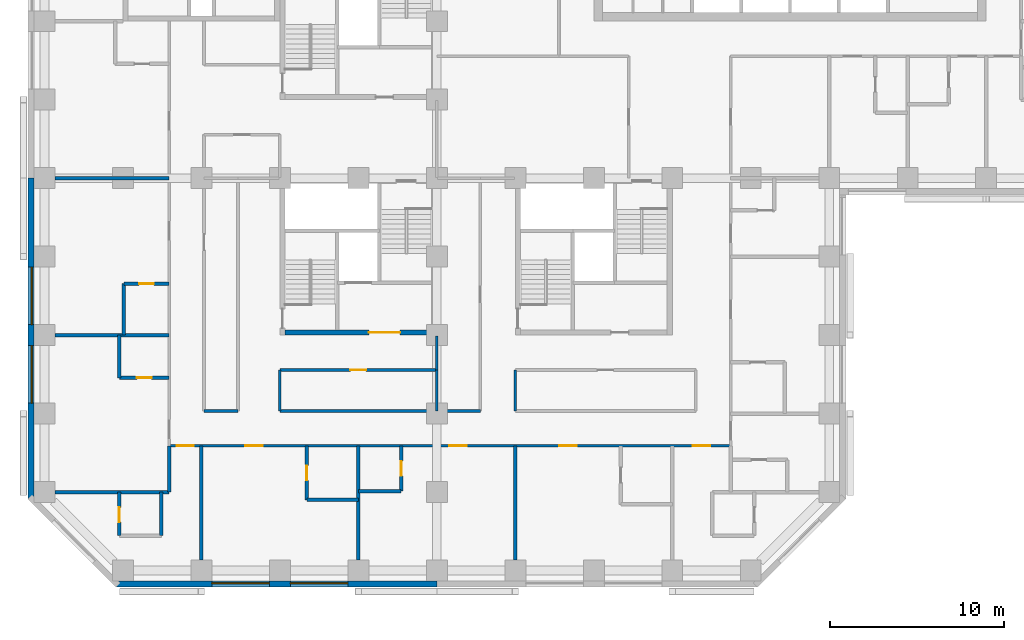
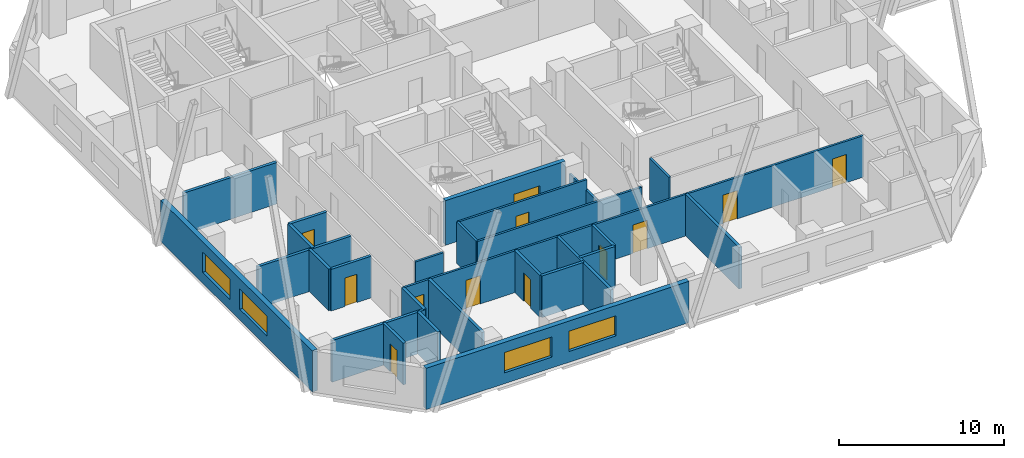
# One storey, part 3 of 13: 28 walls, 12 doors, 4 windows, 16 openings.
"""IFC4 building model written with IfcOpenShell, lengths in metres."""

from ifc_helpers import new_model, si_unit, direction, frame, frame_2d, origin, place, context, subcontext, project, spatial, rectangle, extrude, material, layer, layer_set, constituent, constituent_set, type_object, element, fill, save


model = new_model("IFC4")

# Units and contexts
model_context = context("Model", 3, precision=1e-05, world=origin(), true_north=direction((0.0, 1.0)))
body_context = subcontext(model_context, "Body", "Model", "MODEL_VIEW")
ifc_project = project(units=[si_unit("LENGTHUNIT", "METRE"), si_unit("AREAUNIT", "SQUARE_METRE"), si_unit("VOLUMEUNIT", "CUBIC_METRE"), si_unit("PLANEANGLEUNIT", "RADIAN"), si_unit("MASSUNIT", "GRAM", prefix="KILO")], contexts=[model_context])

# Site, building, storey
site_placement = place(None, origin())
site = spatial("IfcSite", under=ifc_project, at=site_placement, CompositionType="ELEMENT")
building_placement = place(site_placement, origin())
building = spatial("IfcBuilding", under=site, at=building_placement, Name="Quoin Convention Tower", CompositionType="ELEMENT")
storey_placement = place(building_placement, frame((0.0, 0.0, 39.60009765625)))
storey = spatial("IfcBuildingStorey", under=building, at=storey_placement, Name="L09", CompositionType="ELEMENT", Elevation=39.60009765625)

# Wall, openings, windows
ifc_material_1 = material(Name="Brick masonry", Category="masonry")
ifc_layer_1 = layer(ifc_material_1, 0.35009765625)
ifc_layer_set_1 = layer_set([ifc_layer_1], Name="Brick masonry")
wall_type_1 = type_object("IfcWallType", Name="Brick facade wall", PredefinedType="STANDARD", material=ifc_layer_set_1)
wall_1_placement = place(storey_placement, frame((17.6064453125, 17.22509765625, 0.0), z_axis=(0.0, 0.0, 1.0), x_axis=(1.0, 0.0, 0.0)))
wall_1 = element("IfcWall", 1, at=wall_1_placement, inside=storey, type_object=wall_type_1, Name="fw-L09-18000_18000", PredefinedType="STANDARD", context=body_context, shape_type="SweptSolid", body=[
    extrude(rectangle(XDim=18.3935546875, YDim=0.35009765625, at=frame_2d((9.19677734375, 0.0))), origin(), (0.0, 0.0, 1.0), 3.054931640625),
])
opening_1_placement = place(wall_1_placement, frame((5.493408203125, 0.0, 0.800048828125)))
opening_1 = element("IfcOpeningElement", 2, at=opening_1_placement, cuts=wall_1, Name="Opening W-01", PredefinedType="OPENING", context=body_context, shape_type="SweptSolid", body=[
    extrude(rectangle(XDim=3.300048828125, YDim=1.5, at=frame_2d((1.64990234375, 0.75))), frame((0.0, 0.18505859375, 0.0), z_axis=(0.0, -1.0, 0.0), x_axis=(1.0, 0.0, 0.0)), (0.0, 0.0, 1.0), 0.3701171875),
])
opening_2_placement = place(wall_1_placement, frame((9.993408203125, 0.0, 0.800048828125)))
opening_2 = element("IfcOpeningElement", 3, at=opening_2_placement, cuts=wall_1, Name="Opening W-01", PredefinedType="OPENING", context=body_context, shape_type="SweptSolid", body=[
    extrude(rectangle(XDim=3.300048828125, YDim=1.5, at=frame_2d((1.64990234375, 0.75))), frame((0.0, 0.18505859375, 0.0), z_axis=(0.0, -1.0, 0.0), x_axis=(1.0, 0.0, 0.0)), (0.0, 0.0, 1.0), 0.3701171875),
])
ifc_material_2 = material(Name="Aluminium", Category="aluminium")
ifc_constituent_1 = constituent(ifc_material_2, Name="Frame")
ifc_material_3 = material(Name="Insulated glass", Category="glass")
ifc_constituent_2 = constituent(ifc_material_3, Name="Glazing")
ifc_constituent_set = constituent_set(constituents=[ifc_constituent_1, ifc_constituent_2], Name="Aluminium")
window_type = type_object("IfcWindowType", Name="Hotel strip window", PartitioningType="DOUBLE_PANEL_VERTICAL", PredefinedType="WINDOW", material=ifc_constituent_set)
window_1_placement = place(opening_1_placement, origin())
window_1 = element("IfcWindow", 4, at=window_1_placement, inside=storey, type_object=window_type, Name="win-L09-24750_17225", OverallHeight=1.5, OverallWidth=3.300048828125, PartitioningType="SINGLE_PANEL", PredefinedType="WINDOW", context=body_context, shape_type="SweptSolid", body=[
    extrude(rectangle(XDim=3.300048828125, YDim=1.5, at=frame_2d((1.64990234375, 0.75))), frame((0.0, 0.0849609375, 0.0), z_axis=(0.0, -1.0, 0.0), x_axis=(1.0, 0.0, 0.0)), (0.0, 0.0, 1.0), 0.06005859375),
])
fill(opening_1, window_1)
window_2_placement = place(opening_2_placement, origin())
window_2 = element("IfcWindow", 5, at=window_2_placement, inside=storey, type_object=window_type, Name="win-L09-29250_17225", OverallHeight=1.5, OverallWidth=3.300048828125, PartitioningType="SINGLE_PANEL", PredefinedType="WINDOW", context=body_context, shape_type="SweptSolid", body=[
    extrude(rectangle(XDim=3.300048828125, YDim=1.5, at=frame_2d((1.64990234375, 0.75))), frame((0.0, 0.0849609375, 0.0), z_axis=(0.0, -1.0, 0.0), x_axis=(1.0, 0.0, 0.0)), (0.0, 0.0, 1.0), 0.06005859375),
])
fill(opening_2, window_2)

wall_2_placement = place(storey_placement, frame((12.72509765625, 40.5, 0.0), z_axis=(0.0, 0.0, 1.0), x_axis=(0.0, -1.0, 0.0)))
wall_2 = element("IfcWall", 6, at=wall_2_placement, inside=storey, type_object=wall_type_1, Name="fw-L09-13500_40500", PredefinedType="STANDARD", context=body_context, shape_type="SweptSolid", body=[
    extrude(rectangle(XDim=18.3935546875, YDim=0.35009765625, at=frame_2d((9.19677734375, 0.0))), origin(), (0.0, 0.0, 1.0), 3.054931640625),
])
opening_3_placement = place(wall_2_placement, frame((5.10009765625, 0.0, 0.800048828125)))
opening_3 = element("IfcOpeningElement", 7, at=opening_3_placement, cuts=wall_2, Name="Opening W-01", PredefinedType="OPENING", context=body_context, shape_type="SweptSolid", body=[
    extrude(rectangle(XDim=3.300048828125, YDim=1.5, at=frame_2d((1.64990234375, 0.75))), frame((0.0, 0.18505859375, 0.0), z_axis=(0.0, -1.0, 0.0), x_axis=(1.0, 0.0, 0.0)), (0.0, 0.0, 1.0), 0.3701171875),
])
opening_4_placement = place(wall_2_placement, frame((9.60009765625, 0.0, 0.800048828125)))
opening_4 = element("IfcOpeningElement", 8, at=opening_4_placement, cuts=wall_2, Name="Opening W-01", PredefinedType="OPENING", context=body_context, shape_type="SweptSolid", body=[
    extrude(rectangle(XDim=3.300048828125, YDim=1.5, at=frame_2d((1.64990234375, 0.75))), frame((0.0, 0.18505859375, 0.0), z_axis=(0.0, -1.0, 0.0), x_axis=(1.0, 0.0, 0.0)), (0.0, 0.0, 1.0), 0.3701171875),
])
window_3_placement = place(opening_3_placement, origin())
window_3 = element("IfcWindow", 9, at=window_3_placement, inside=storey, type_object=window_type, Name="win-L09-12725_33750", OverallHeight=1.5, OverallWidth=3.300048828125, PartitioningType="SINGLE_PANEL", PredefinedType="WINDOW", context=body_context, shape_type="SweptSolid", body=[
    extrude(rectangle(XDim=3.300048828125, YDim=1.5, at=frame_2d((1.64990234375, 0.75))), frame((0.0, 0.0849609375, 0.0), z_axis=(0.0, -1.0, 0.0), x_axis=(1.0, 0.0, 0.0)), (0.0, 0.0, 1.0), 0.06005859375),
])
fill(opening_3, window_3)
window_4_placement = place(opening_4_placement, origin())
window_4 = element("IfcWindow", 10, at=window_4_placement, inside=storey, type_object=window_type, Name="win-L09-12725_29250", OverallHeight=1.5, OverallWidth=3.300048828125, PartitioningType="SINGLE_PANEL", PredefinedType="WINDOW", context=body_context, shape_type="SweptSolid", body=[
    extrude(rectangle(XDim=3.300048828125, YDim=1.5, at=frame_2d((1.64990234375, 0.75))), frame((0.0, 0.0849609375, 0.0), z_axis=(0.0, -1.0, 0.0), x_axis=(1.0, 0.0, 0.0)), (0.0, 0.0, 1.0), 0.06005859375),
])
fill(opening_4, window_4)

# Wall, opening, door
ifc_material_4 = material(Name="Concrete C80", Category="concrete")
ifc_layer_2 = layer(ifc_material_4, 0.300048828125)
ifc_layer_set_2 = layer_set([ifc_layer_2], Name="Concrete C80")
wall_type_2 = type_object("IfcWallType", Name="RC CORE WALL 300 C80", PredefinedType="SHEAR", material=ifc_layer_set_2)
wall_3_placement = place(storey_placement, frame((27.300048828125, 31.64990234375, 0.0), z_axis=(0.0, 0.0, 1.0), x_axis=(1.0, 0.0, 0.0)))
wall_3 = element("IfcWall", 11, at=wall_3_placement, inside=storey, type_object=wall_type_2, Name="cwl-P4-L09-S", PredefinedType="SHEAR", context=body_context, shape_type="SweptSolid", body=[
    extrude(rectangle(XDim=8.39990234375, YDim=0.300048828125, at=frame_2d((4.199951171875, 0.0))), origin(), (0.0, 0.0, 1.0), 3.2998046875),
])
opening_5_placement = place(wall_3_placement, frame((4.800048828125, 0.0, 0.0)))
opening_5 = element("IfcOpeningElement", 12, at=opening_5_placement, cuts=wall_3, Name="Opening DCV3-43", PredefinedType="OPENING", context=body_context, shape_type="SweptSolid", body=[
    extrude(rectangle(XDim=1.800048828125, YDim=2.10009765625, at=frame_2d((0.89990234375, 1.050048828125))), frame((0.0, 0.159912109375, 0.0), z_axis=(0.0, -1.0, 0.0), x_axis=(1.0, 0.0, 0.0)), (0.0, 0.0, 1.0), 0.320068359375),
])
ifc_material_5 = material(Name="Steel door leaf", Category="steel")
door_type_1 = type_object("IfcDoorType", Name="Goods lobby door 1800 x 2100", OperationType="SINGLE_SWING_LEFT", PredefinedType="DOOR", material=ifc_material_5)
door_1_placement = place(opening_5_placement, origin())
door_1 = element("IfcDoor", 13, at=door_1_placement, inside=storey, type_object=door_type_1, Name="cd-P4-L09-R2-S", OperationType="SINGLE_SWING_LEFT", OverallHeight=2.10009765625, OverallWidth=1.800048828125, PredefinedType="DOOR", context=body_context, shape_type="SweptSolid", body=[
    extrude(rectangle(XDim=1.800048828125, YDim=2.10009765625, at=frame_2d((0.89990234375, 1.050048828125))), frame((0.0, 0.02490234375, 0.0), z_axis=(0.0, -1.0, 0.0), x_axis=(1.0, 0.0, 0.0)), (0.0, 0.0, 1.0), 0.050048828125),
])
fill(opening_5, door_1)

# Walls
ifc_material_6 = material(Name="Concrete C50", Category="concrete")
ifc_layer_3 = layer(ifc_material_6, 0.199951171875)
ifc_layer_set_3 = layer_set([ifc_layer_3], Name="Concrete C50")
wall_type_3 = type_object("IfcWallType", Name="RC party wall", PredefinedType="SOLIDWALL", material=ifc_layer_set_3)
for number, where, z_axis, x_axis, name in (
    (14, (22.5, 18.60009765625, 0.0), (0.0, 0.0, 1.0), (0.0, 1.0, 0.0), "pw-L09-039"),
    (15, (31.5, 18.60009765625, 0.0), (0.0, 0.0, 1.0), (0.0, 1.0, 0.0), "pw-L09-040"),
    (16, (40.5, 18.60009765625, 0.0), (0.0, 0.0, 1.0), (0.0, 1.0, 0.0), "pw-L09-041"),
):
    element("IfcWall", number, at=place(storey_placement, frame(where, z_axis=z_axis, x_axis=x_axis)), inside=storey, type_object=wall_type_3, Name=name, PredefinedType="SOLIDWALL", context=body_context, shape_type="SweptSolid", body=[
        extrude(rectangle(XDim=6.5498046875, YDim=0.199951171875, at=frame_2d((3.27490234375, 0.0))), origin(), (0.0, 0.0, 1.0), 3.079833984375),
    ])

# Wall, opening, door
wall_4_placement = place(storey_placement, frame((17.800048828125, 20.0, 0.0), z_axis=(0.0, 0.0, 1.0), x_axis=(0.0, 1.0, 0.0)))
wall_4 = element("IfcWall", 17, at=wall_4_placement, inside=storey, type_object=wall_type_3, Name="pw-L09-044", PredefinedType="SOLIDWALL", context=body_context, shape_type="SweptSolid", body=[
    extrude(rectangle(XDim=2.5, YDim=0.199951171875, at=frame_2d((1.25, 0.0))), origin(), (0.0, 0.0, 1.0), 3.079833984375),
])
opening_6_placement = place(wall_4_placement, frame((0.77490234375, 0.0, 0.0)))
opening_6 = element("IfcOpeningElement", 18, at=opening_6_placement, cuts=wall_4, Name="Opening DHOTEL-E-36", PredefinedType="OPENING", context=body_context, shape_type="SweptSolid", body=[
    extrude(rectangle(XDim=0.85009765625, YDim=2.10009765625, at=frame_2d((0.425048828125, 1.050048828125))), frame((0.0, 0.10986328125, 0.0), z_axis=(0.0, -1.0, 0.0), x_axis=(1.0, 0.0, 0.0)), (0.0, 0.0, 1.0), 0.219970703125),
])
door_type_2 = type_object("IfcDoorType", Name="Bathroom door", OperationType="SINGLE_SWING_LEFT", PredefinedType="DOOR", material=ifc_material_5)
door_2_placement = place(opening_6_placement, origin())
door_2 = element("IfcDoor", 19, at=door_2_placement, inside=storey, type_object=door_type_2, Name="dr-L09-050", OperationType="SINGLE_SWING_RIGHT", OverallHeight=2.10009765625, OverallWidth=0.85009765625, PredefinedType="DOOR", context=body_context, shape_type="SweptSolid", body=[
    extrude(rectangle(XDim=0.85009765625, YDim=2.10009765625, at=frame_2d((0.425048828125, 1.050048828125))), frame((0.0, 0.02490234375, 0.0), z_axis=(0.0, -1.0, 0.0), x_axis=(1.0, 0.0, 0.0)), (0.0, 0.0, 1.0), 0.050048828125),
])
fill(opening_6, door_2)

# Walls
wall_5_placement = place(storey_placement, frame((20.199951171875, 20.0, 0.0), z_axis=(0.0, 0.0, 1.0), x_axis=(0.0, 1.0, 0.0)))
element("IfcWall", 20, at=wall_5_placement, inside=storey, type_object=wall_type_3, Name="pw-L09-045", PredefinedType="SOLIDWALL", context=body_context, shape_type="SweptSolid", body=[
    extrude(rectangle(XDim=2.5, YDim=0.199951171875, at=frame_2d((1.25, 0.0))), origin(), (0.0, 0.0, 1.0), 3.079833984375),
])
wall_6_placement = place(storey_placement, frame((28.550048828125, 22.050048828125, 0.0), z_axis=(0.0, 0.0, 1.0), x_axis=(1.0, 0.0, 0.0)))
element("IfcWall", 21, at=wall_6_placement, inside=storey, type_object=wall_type_3, Name="pw-L09-051", PredefinedType="SOLIDWALL", context=body_context, shape_type="SweptSolid", body=[
    extrude(rectangle(XDim=2.949951171875, YDim=0.199951171875, at=frame_2d((1.47509765625, 0.0))), origin(), (0.0, 0.0, 1.0), 3.079833984375),
])

# Wall, opening, door
wall_7_placement = place(storey_placement, frame((28.550048828125, 22.050048828125, 0.0), z_axis=(0.0, 0.0, 1.0), x_axis=(0.0, 1.0, 0.0)))
wall_7 = element("IfcWall", 22, at=wall_7_placement, inside=storey, type_object=wall_type_3, Name="pw-L09-052", PredefinedType="SOLIDWALL", context=body_context, shape_type="SweptSolid", body=[
    extrude(rectangle(XDim=3.099853515625, YDim=0.199951171875, at=frame_2d((1.5498046875, 0.0))), origin(), (0.0, 0.0, 1.0), 3.079833984375),
])
opening_7_placement = place(wall_7_placement, frame((1.125, 0.0, 0.0)))
opening_7 = element("IfcOpeningElement", 23, at=opening_7_placement, cuts=wall_7, Name="Opening DHOTEL-E-39", PredefinedType="OPENING", context=body_context, shape_type="SweptSolid", body=[
    extrude(rectangle(XDim=0.85009765625, YDim=2.10009765625, at=frame_2d((0.425048828125, 1.050048828125))), frame((0.0, 0.10986328125, 0.0), z_axis=(0.0, -1.0, 0.0), x_axis=(1.0, 0.0, 0.0)), (0.0, 0.0, 1.0), 0.219970703125),
])
door_3_placement = place(opening_7_placement, origin())
door_3 = element("IfcDoor", 24, at=door_3_placement, inside=storey, type_object=door_type_2, Name="dr-L09-002", OperationType="SINGLE_SWING_RIGHT", OverallHeight=2.10009765625, OverallWidth=0.85009765625, PredefinedType="DOOR", context=body_context, shape_type="SweptSolid", body=[
    extrude(rectangle(XDim=0.85009765625, YDim=2.10009765625, at=frame_2d((0.425048828125, 1.050048828125))), frame((0.0, 0.02490234375, 0.0), z_axis=(0.0, -1.0, 0.0), x_axis=(1.0, 0.0, 0.0)), (0.0, 0.0, 1.0), 0.050048828125),
])
fill(opening_7, door_3)

# Walls
wall_8_placement = place(storey_placement, frame((14.10009765625, 22.5, 0.0), z_axis=(0.0, 0.0, 1.0), x_axis=(1.0, 0.0, 0.0)))
element("IfcWall", 25, at=wall_8_placement, inside=storey, type_object=wall_type_3, Name="pw-L09-053", PredefinedType="SOLIDWALL", context=body_context, shape_type="SweptSolid", body=[
    extrude(rectangle(XDim=6.5498046875, YDim=0.199951171875, at=frame_2d((3.27490234375, 0.0))), origin(), (0.0, 0.0, 1.0), 3.079833984375),
])
wall_9_placement = place(storey_placement, frame((20.64990234375, 22.5, 0.0), z_axis=(0.0, 0.0, 1.0), x_axis=(0.0, 1.0, 0.0)))
element("IfcWall", 26, at=wall_9_placement, inside=storey, type_object=wall_type_3, Name="pw-L09-054", PredefinedType="SOLIDWALL", context=body_context, shape_type="SweptSolid", body=[
    extrude(rectangle(XDim=2.64990234375, YDim=0.199951171875, at=frame_2d((1.324951171875, 0.0))), origin(), (0.0, 0.0, 1.0), 3.079833984375),
])
wall_10_placement = place(storey_placement, frame((31.5, 22.550048828125, 0.0), z_axis=(0.0, 0.0, 1.0), x_axis=(1.0, 0.0, 0.0)))
element("IfcWall", 27, at=wall_10_placement, inside=storey, type_object=wall_type_3, Name="pw-L09-058", PredefinedType="SOLIDWALL", context=body_context, shape_type="SweptSolid", body=[
    extrude(rectangle(XDim=2.449951171875, YDim=0.199951171875, at=frame_2d((1.22509765625, 0.0))), origin(), (0.0, 0.0, 1.0), 3.079833984375),
])

# Wall, opening, door
wall_11_placement = place(storey_placement, frame((33.949951171875, 22.550048828125, 0.0), z_axis=(0.0, 0.0, 1.0), x_axis=(0.0, 1.0, 0.0)))
wall_11 = element("IfcWall", 28, at=wall_11_placement, inside=storey, type_object=wall_type_3, Name="pw-L09-059", PredefinedType="SOLIDWALL", context=body_context, shape_type="SweptSolid", body=[
    extrude(rectangle(XDim=2.599853515625, YDim=0.199951171875, at=frame_2d((1.2998046875, 0.0))), origin(), (0.0, 0.0, 1.0), 3.079833984375),
])
opening_8_placement = place(wall_11_placement, frame((0.875, 0.0, 0.0)))
opening_8 = element("IfcOpeningElement", 29, at=opening_8_placement, cuts=wall_11, Name="Opening DHOTEL-E-40", PredefinedType="OPENING", context=body_context, shape_type="SweptSolid", body=[
    extrude(rectangle(XDim=0.85009765625, YDim=2.10009765625, at=frame_2d((0.425048828125, 1.050048828125))), frame((0.0, 0.10986328125, 0.0), z_axis=(0.0, -1.0, 0.0), x_axis=(1.0, 0.0, 0.0)), (0.0, 0.0, 1.0), 0.219970703125),
])
door_4_placement = place(opening_8_placement, frame((0.85009765625, 0.0, 0.0), z_axis=(0.0, 0.0, 1.0), x_axis=(-1.0, 0.0, 0.0)))
door_4 = element("IfcDoor", 30, at=door_4_placement, inside=storey, type_object=door_type_2, Name="dr-L09-004", OperationType="SINGLE_SWING_LEFT", OverallHeight=2.10009765625, OverallWidth=0.85009765625, PredefinedType="DOOR", context=body_context, shape_type="SweptSolid", body=[
    extrude(rectangle(XDim=0.85009765625, YDim=2.10009765625, at=frame_2d((0.425048828125, 1.050048828125))), frame((0.0, 0.02490234375, 0.0), z_axis=(0.0, -1.0, 0.0), x_axis=(1.0, 0.0, 0.0)), (0.0, 0.0, 1.0), 0.050048828125),
])
fill(opening_8, door_4)

wall_12_placement = place(storey_placement, frame((17.800048828125, 29.050048828125, 0.0), z_axis=(0.0, 0.0, 1.0), x_axis=(1.0, 0.0, 0.0)))
wall_12 = element("IfcWall", 31, at=wall_12_placement, inside=storey, type_object=wall_type_3, Name="pw-L09-063", PredefinedType="SOLIDWALL", context=body_context, shape_type="SweptSolid", body=[
    extrude(rectangle(XDim=2.849853515625, YDim=0.199951171875, at=frame_2d((1.4248046875, 0.0))), origin(), (0.0, 0.0, 1.0), 3.079833984375),
])
opening_9_placement = place(wall_12_placement, frame((1.0, 0.0, 0.0)))
opening_9 = element("IfcOpeningElement", 32, at=opening_9_placement, cuts=wall_12, Name="Opening DHOTEL-E-42", PredefinedType="OPENING", context=body_context, shape_type="SweptSolid", body=[
    extrude(rectangle(XDim=0.85009765625, YDim=2.10009765625, at=frame_2d((0.425048828125, 1.050048828125))), frame((0.0, 0.10986328125, 0.0), z_axis=(0.0, -1.0, 0.0), x_axis=(1.0, 0.0, 0.0)), (0.0, 0.0, 1.0), 0.219970703125),
])
door_5_placement = place(opening_9_placement, frame((0.85009765625, 0.0, 0.0), z_axis=(0.0, 0.0, 1.0), x_axis=(-1.0, 0.0, 0.0)))
door_5 = element("IfcDoor", 33, at=door_5_placement, inside=storey, type_object=door_type_2, Name="dr-L09-008", OperationType="SINGLE_SWING_LEFT", OverallHeight=2.10009765625, OverallWidth=0.85009765625, PredefinedType="DOOR", context=body_context, shape_type="SweptSolid", body=[
    extrude(rectangle(XDim=0.85009765625, YDim=2.10009765625, at=frame_2d((0.425048828125, 1.050048828125))), frame((0.0, 0.02490234375, 0.0), z_axis=(0.0, -1.0, 0.0), x_axis=(1.0, 0.0, 0.0)), (0.0, 0.0, 1.0), 0.050048828125),
])
fill(opening_9, door_5)

# Walls
wall_13_placement = place(storey_placement, frame((17.800048828125, 29.050048828125, 0.0), z_axis=(0.0, 0.0, 1.0), x_axis=(0.0, 1.0, 0.0)))
element("IfcWall", 34, at=wall_13_placement, inside=storey, type_object=wall_type_3, Name="pw-L09-064", PredefinedType="SOLIDWALL", context=body_context, shape_type="SweptSolid", body=[
    extrude(rectangle(XDim=2.449951171875, YDim=0.199951171875, at=frame_2d((1.22509765625, 0.0))), origin(), (0.0, 0.0, 1.0), 3.079833984375),
])
wall_14_placement = place(storey_placement, frame((14.10009765625, 31.5, 0.0), z_axis=(0.0, 0.0, 1.0), x_axis=(1.0, 0.0, 0.0)))
element("IfcWall", 35, at=wall_14_placement, inside=storey, type_object=wall_type_3, Name="pw-L09-066", PredefinedType="SOLIDWALL", context=body_context, shape_type="SweptSolid", body=[
    extrude(rectangle(XDim=6.5498046875, YDim=0.199951171875, at=frame_2d((3.27490234375, 0.0))), origin(), (0.0, 0.0, 1.0), 3.079833984375),
])
wall_15_placement = place(storey_placement, frame((18.050048828125, 31.5, 0.0), z_axis=(0.0, 0.0, 1.0), x_axis=(0.0, 1.0, 0.0)))
element("IfcWall", 36, at=wall_15_placement, inside=storey, type_object=wall_type_3, Name="pw-L09-067", PredefinedType="SOLIDWALL", context=body_context, shape_type="SweptSolid", body=[
    extrude(rectangle(XDim=2.949951171875, YDim=0.199951171875, at=frame_2d((1.47509765625, 0.0))), origin(), (0.0, 0.0, 1.0), 3.079833984375),
])

# Wall, opening, door
wall_16_placement = place(storey_placement, frame((18.050048828125, 34.449951171875, 0.0), z_axis=(0.0, 0.0, 1.0), x_axis=(1.0, 0.0, 0.0)))
wall_16 = element("IfcWall", 37, at=wall_16_placement, inside=storey, type_object=wall_type_3, Name="pw-L09-068", PredefinedType="SOLIDWALL", context=body_context, shape_type="SweptSolid", body=[
    extrude(rectangle(XDim=2.599853515625, YDim=0.199951171875, at=frame_2d((1.2998046875, 0.0))), origin(), (0.0, 0.0, 1.0), 3.079833984375),
])
opening_10_placement = place(wall_16_placement, frame((0.875, 0.0, 0.0)))
opening_10 = element("IfcOpeningElement", 38, at=opening_10_placement, cuts=wall_16, Name="Opening DHOTEL-E-44", PredefinedType="OPENING", context=body_context, shape_type="SweptSolid", body=[
    extrude(rectangle(XDim=0.85009765625, YDim=2.10009765625, at=frame_2d((0.425048828125, 1.050048828125))), frame((0.0, 0.10986328125, 0.0), z_axis=(0.0, -1.0, 0.0), x_axis=(1.0, 0.0, 0.0)), (0.0, 0.0, 1.0), 0.219970703125),
])
door_6_placement = place(opening_10_placement, origin())
door_6 = element("IfcDoor", 39, at=door_6_placement, inside=storey, type_object=door_type_2, Name="dr-L09-010", OperationType="SINGLE_SWING_RIGHT", OverallHeight=2.10009765625, OverallWidth=0.85009765625, PredefinedType="DOOR", context=body_context, shape_type="SweptSolid", body=[
    extrude(rectangle(XDim=0.85009765625, YDim=2.10009765625, at=frame_2d((0.425048828125, 1.050048828125))), frame((0.0, 0.02490234375, 0.0), z_axis=(0.0, -1.0, 0.0), x_axis=(1.0, 0.0, 0.0)), (0.0, 0.0, 1.0), 0.050048828125),
])
fill(opening_10, door_6)

# Wall
wall_17_placement = place(storey_placement, frame((14.10009765625, 40.5, 0.0), z_axis=(0.0, 0.0, 1.0), x_axis=(1.0, 0.0, 0.0)))
element("IfcWall", 40, at=wall_17_placement, inside=storey, type_object=wall_type_3, Name="pw-L09-072", PredefinedType="SOLIDWALL", context=body_context, shape_type="SweptSolid", body=[
    extrude(rectangle(XDim=6.5498046875, YDim=0.199951171875, at=frame_2d((3.27490234375, 0.0))), origin(), (0.0, 0.0, 1.0), 3.079833984375),
])

# Wall, openings, doors
ifc_material_7 = material(Name="Plasterboard")
ifc_layer_4 = layer(ifc_material_7, 0.012451171875, Name="Finish")
ifc_material_8 = material(Name="Steel stud framing", Category="steel")
ifc_layer_5 = layer(ifc_material_8, 0.125, Name="Structure")
ifc_layer_6 = layer(ifc_material_7, 0.012451171875, Name="Finish")
ifc_layer_set_4 = layer_set([ifc_layer_4, ifc_layer_5, ifc_layer_6], Name="Steel stud framing")
wall_type_4 = type_object("IfcWallType", Name="corridor partition", PredefinedType="PARTITIONING", material=ifc_layer_set_4)
wall_18_placement = place(storey_placement, frame((20.64990234375, 25.14990234375, 0.0), z_axis=(0.0, 0.0, 1.0), x_axis=(1.0, 0.0, 0.0)))
wall_18 = element("IfcWall", 41, at=wall_18_placement, inside=storey, type_object=wall_type_4, Name="pw-L09-005", PredefinedType="PARTITIONING", context=body_context, shape_type="SweptSolid", body=[
    extrude(rectangle(XDim=32.2001953125, YDim=0.14990234375, at=frame_2d((16.10009765625, 0.0))), origin(), (0.0, 0.0, 1.0), 3.079833984375),
])
opening_11_placement = place(wall_18_placement, frame((4.375, 0.0, 0.0)))
opening_11 = element("IfcOpeningElement", 42, at=opening_11_placement, cuts=wall_18, Name="Opening DHOTEL-E-02", PredefinedType="OPENING", context=body_context, shape_type="SweptSolid", body=[
    extrude(rectangle(XDim=1.0, YDim=2.10009765625, at=frame_2d((0.5, 1.050048828125))), frame((0.0, 0.0849609375, 0.0), z_axis=(0.0, -1.0, 0.0), x_axis=(1.0, 0.0, 0.0)), (0.0, 0.0, 1.0), 0.169921875),
])
opening_12_placement = place(wall_18_placement, frame((16.074951171875, 0.0, 0.0)))
opening_12 = element("IfcOpeningElement", 43, at=opening_12_placement, cuts=wall_18, Name="Opening DHOTEL-E-03", PredefinedType="OPENING", context=body_context, shape_type="SweptSolid", body=[
    extrude(rectangle(XDim=1.0, YDim=2.10009765625, at=frame_2d((0.5, 1.050048828125))), frame((0.0, 0.0849609375, 0.0), z_axis=(0.0, -1.0, 0.0), x_axis=(1.0, 0.0, 0.0)), (0.0, 0.0, 1.0), 0.169921875),
])
opening_13_placement = place(wall_18_placement, frame((22.375, 0.0, 0.0)))
opening_13 = element("IfcOpeningElement", 44, at=opening_13_placement, cuts=wall_18, Name="Opening DHOTEL-E-04", PredefinedType="OPENING", context=body_context, shape_type="SweptSolid", body=[
    extrude(rectangle(XDim=1.0, YDim=2.10009765625, at=frame_2d((0.5, 1.050048828125))), frame((0.0, 0.0849609375, 0.0), z_axis=(0.0, -1.0, 0.0), x_axis=(1.0, 0.0, 0.0)), (0.0, 0.0, 1.0), 0.169921875),
])
opening_14_placement = place(wall_18_placement, frame((0.425048828125, 0.0, 0.0)))
opening_14 = element("IfcOpeningElement", 45, at=opening_14_placement, cuts=wall_18, Name="Opening DHOTEL-E-01", PredefinedType="OPENING", context=body_context, shape_type="SweptSolid", body=[
    extrude(rectangle(XDim=1.0, YDim=2.10009765625, at=frame_2d((0.5, 1.050048828125))), frame((0.0, 0.0849609375, 0.0), z_axis=(0.0, -1.0, 0.0), x_axis=(1.0, 0.0, 0.0)), (0.0, 0.0, 1.0), 0.169921875),
])
opening_15_placement = place(wall_18_placement, frame((30.02490234375, 0.0, 0.0)))
opening_15 = element("IfcOpeningElement", 46, at=opening_15_placement, cuts=wall_18, Name="Opening DHOTEL-E-05", PredefinedType="OPENING", context=body_context, shape_type="SweptSolid", body=[
    extrude(rectangle(XDim=1.0, YDim=2.10009765625, at=frame_2d((0.5, 1.050048828125))), frame((0.0, 0.0849609375, 0.0), z_axis=(0.0, -1.0, 0.0), x_axis=(1.0, 0.0, 0.0)), (0.0, 0.0, 1.0), 0.169921875),
])
door_type_3 = type_object("IfcDoorType", Name="Hotel room door", OperationType="SINGLE_SWING_LEFT", PredefinedType="DOOR", material=ifc_material_5)
door_7_placement = place(opening_11_placement, frame((1.0, 0.0, 0.0), z_axis=(0.0, 0.0, 1.0), x_axis=(-1.0, 0.0, 0.0)))
door_7 = element("IfcDoor", 47, at=door_7_placement, inside=storey, type_object=door_type_3, Name="dr-L09-001", OperationType="SINGLE_SWING_LEFT", OverallHeight=2.10009765625, OverallWidth=1.0, PredefinedType="DOOR", context=body_context, shape_type="SweptSolid", body=[
    extrude(rectangle(XDim=1.0, YDim=2.10009765625, at=frame_2d((0.5, 1.050048828125))), frame((0.0, 0.02490234375, 0.0), z_axis=(0.0, -1.0, 0.0), x_axis=(1.0, 0.0, 0.0)), (0.0, 0.0, 1.0), 0.050048828125),
])
fill(opening_11, door_7)
door_8_placement = place(opening_12_placement, frame((1.0, 0.0, 0.0), z_axis=(0.0, 0.0, 1.0), x_axis=(-1.0, 0.0, 0.0)))
door_8 = element("IfcDoor", 48, at=door_8_placement, inside=storey, type_object=door_type_3, Name="dr-L09-003", OperationType="SINGLE_SWING_LEFT", OverallHeight=2.10009765625, OverallWidth=1.0, PredefinedType="DOOR", context=body_context, shape_type="SweptSolid", body=[
    extrude(rectangle(XDim=1.0, YDim=2.10009765625, at=frame_2d((0.5, 1.050048828125))), frame((0.0, 0.02490234375, 0.0), z_axis=(0.0, -1.0, 0.0), x_axis=(1.0, 0.0, 0.0)), (0.0, 0.0, 1.0), 0.050048828125),
])
fill(opening_12, door_8)
door_9_placement = place(opening_13_placement, frame((1.0, 0.0, 0.0), z_axis=(0.0, 0.0, 1.0), x_axis=(-1.0, 0.0, 0.0)))
door_9 = element("IfcDoor", 49, at=door_9_placement, inside=storey, type_object=door_type_3, Name="dr-L09-005", OperationType="SINGLE_SWING_LEFT", OverallHeight=2.10009765625, OverallWidth=1.0, PredefinedType="DOOR", context=body_context, shape_type="SweptSolid", body=[
    extrude(rectangle(XDim=1.0, YDim=2.10009765625, at=frame_2d((0.5, 1.050048828125))), frame((0.0, 0.02490234375, 0.0), z_axis=(0.0, -1.0, 0.0), x_axis=(1.0, 0.0, 0.0)), (0.0, 0.0, 1.0), 0.050048828125),
])
fill(opening_13, door_9)
door_10_placement = place(opening_14_placement, frame((1.0, 0.0, 0.0), z_axis=(0.0, 0.0, 1.0), x_axis=(-1.0, 0.0, 0.0)))
door_10 = element("IfcDoor", 50, at=door_10_placement, inside=storey, type_object=door_type_3, Name="dr-L09-049", OperationType="SINGLE_SWING_LEFT", OverallHeight=2.10009765625, OverallWidth=1.0, PredefinedType="DOOR", context=body_context, shape_type="SweptSolid", body=[
    extrude(rectangle(XDim=1.0, YDim=2.10009765625, at=frame_2d((0.5, 1.050048828125))), frame((0.0, 0.02490234375, 0.0), z_axis=(0.0, -1.0, 0.0), x_axis=(1.0, 0.0, 0.0)), (0.0, 0.0, 1.0), 0.050048828125),
])
fill(opening_14, door_10)
door_11_placement = place(opening_15_placement, frame((1.0, 0.0, 0.0), z_axis=(0.0, 0.0, 1.0), x_axis=(-1.0, 0.0, 0.0)))
door_11 = element("IfcDoor", 51, at=door_11_placement, inside=storey, type_object=door_type_3, Name="dr-L09-051", OperationType="SINGLE_SWING_LEFT", OverallHeight=2.10009765625, OverallWidth=1.0, PredefinedType="DOOR", context=body_context, shape_type="SweptSolid", body=[
    extrude(rectangle(XDim=1.0, YDim=2.10009765625, at=frame_2d((0.5, 1.050048828125))), frame((0.0, 0.02490234375, 0.0), z_axis=(0.0, -1.0, 0.0), x_axis=(1.0, 0.0, 0.0)), (0.0, 0.0, 1.0), 0.050048828125),
])
fill(opening_15, door_11)

# Walls
wall_19_placement = place(storey_placement, frame((22.64990234375, 27.14990234375, 0.0), z_axis=(0.0, 0.0, 1.0), x_axis=(1.0, 0.0, 0.0)))
element("IfcWall", 52, at=wall_19_placement, inside=storey, type_object=wall_type_4, Name="pw-L09-008", PredefinedType="PARTITIONING", context=body_context, shape_type="SweptSolid", body=[
    extrude(rectangle(XDim=1.9501953125, YDim=0.14990234375, at=frame_2d((0.97509765625, 0.0))), origin(), (0.0, 0.0, 1.0), 3.079833984375),
])
wall_20_placement = place(storey_placement, frame((27.0, 27.14990234375, 0.0), z_axis=(0.0, 0.0, 1.0), x_axis=(1.0, 0.0, 0.0)))
element("IfcWall", 53, at=wall_20_placement, inside=storey, type_object=wall_type_4, Name="pw-L09-011", PredefinedType="PARTITIONING", context=body_context, shape_type="SweptSolid", body=[
    extrude(rectangle(XDim=11.5, YDim=0.14990234375, at=frame_2d((5.75, 0.0))), origin(), (0.0, 0.0, 1.0), 3.079833984375),
])
for number, where, z_axis, x_axis, name in (
    (54, (27.0, 27.14990234375, 0.0), (0.0, 0.0, 1.0), (0.0, 1.0, 0.0), "pw-L09-012"),
    (55, (40.5, 27.14990234375, 0.0), (0.0, 0.0, 1.0), (0.0, 1.0, 0.0), "pw-L09-015"),
):
    element("IfcWall", number, at=place(storey_placement, frame(where, z_axis=z_axis, x_axis=x_axis)), inside=storey, type_object=wall_type_4, Name=name, PredefinedType="PARTITIONING", context=body_context, shape_type="SweptSolid", body=[
        extrude(rectangle(XDim=2.35009765625, YDim=0.14990234375, at=frame_2d((1.175048828125, 0.0))), origin(), (0.0, 0.0, 1.0), 3.079833984375),
    ])

# Wall, opening, door
wall_21_placement = place(storey_placement, frame((27.0, 29.5, 0.0), z_axis=(0.0, 0.0, 1.0), x_axis=(1.0, 0.0, 0.0)))
wall_21 = element("IfcWall", 56, at=wall_21_placement, inside=storey, type_object=wall_type_4, Name="pw-L09-017", PredefinedType="PARTITIONING", context=body_context, shape_type="SweptSolid", body=[
    extrude(rectangle(XDim=9.0, YDim=0.14990234375, at=frame_2d((4.5, 0.0))), origin(), (0.0, 0.0, 1.0), 3.079833984375),
])
opening_16_placement = place(wall_21_placement, frame((4.050048828125, 0.0, 0.0)))
opening_16 = element("IfcOpeningElement", 57, at=opening_16_placement, cuts=wall_21, Name="Opening DHOTEL-E-15", PredefinedType="OPENING", context=body_context, shape_type="SweptSolid", body=[
    extrude(rectangle(XDim=0.89990234375, YDim=2.10009765625, at=frame_2d((0.449951171875, 1.050048828125))), frame((0.0, 0.0849609375, 0.0), z_axis=(0.0, -1.0, 0.0), x_axis=(1.0, 0.0, 0.0)), (0.0, 0.0, 1.0), 0.169921875),
])
door_type_4 = type_object("IfcDoorType", Name="Single room door", OperationType="SINGLE_SWING_RIGHT", PredefinedType="DOOR", material=ifc_material_5)
door_12_placement = place(opening_16_placement, frame((0.89990234375, 0.0, 0.0), z_axis=(0.0, 0.0, 1.0), x_axis=(-1.0, 0.0, 0.0)))
door_12 = element("IfcDoor", 58, at=door_12_placement, inside=storey, type_object=door_type_4, Name="dr-L09-062", OperationType="SINGLE_SWING_LEFT", OverallHeight=2.10009765625, OverallWidth=0.89990234375, PredefinedType="DOOR", context=body_context, shape_type="SweptSolid", body=[
    extrude(rectangle(XDim=0.89990234375, YDim=2.10009765625, at=frame_2d((0.449951171875, 1.050048828125))), frame((0.0, 0.02490234375, 0.0), z_axis=(0.0, -1.0, 0.0), x_axis=(1.0, 0.0, 0.0)), (0.0, 0.0, 1.0), 0.050048828125),
])
fill(opening_16, door_12)

# Walls
ifc_layer_7 = layer(ifc_material_7, 0.012451171875, Name="Finish")
ifc_layer_8 = layer(ifc_material_8, 0.125, Name="Structure")
ifc_layer_9 = layer(ifc_material_7, 0.012451171875, Name="Finish")
ifc_layer_set_5 = layer_set([ifc_layer_7, ifc_layer_8, ifc_layer_9], Name="Steel stud framing")
wall_type_5 = type_object("IfcWallType", Name="corridor partition under beam 750", PredefinedType="PARTITIONING", material=ifc_layer_set_5)
wall_22_placement = place(storey_placement, frame((36.0, 29.5, 0.0), z_axis=(0.0, 0.0, 1.0), x_axis=(0.0, 1.0, 0.0)))
element("IfcWall", 59, at=wall_22_placement, inside=storey, type_object=wall_type_5, Name="pw-L09-018", PredefinedType="PARTITIONING", context=body_context, shape_type="SweptSolid", body=[
    extrude(rectangle(XDim=1.949951171875, YDim=0.14990234375, at=frame_2d((0.97509765625, 0.0))), origin(), (0.0, 0.0, 1.0), 2.329833984375),
])
ifc_layer_10 = layer(ifc_material_7, 0.012451171875, Name="Finish")
ifc_layer_11 = layer(ifc_material_8, 0.125, Name="Structure")
ifc_layer_12 = layer(ifc_material_7, 0.012451171875, Name="Finish")
ifc_layer_set_6 = layer_set([ifc_layer_10, ifc_layer_11, ifc_layer_12], Name="Steel stud framing")
wall_type_6 = type_object("IfcWallType", Name="room partition under beam 750", PredefinedType="PARTITIONING", material=ifc_layer_set_6)
wall_23_placement = place(storey_placement, frame((36.0, 27.14990234375, 0.0), z_axis=(0.0, 0.0, 1.0), x_axis=(0.0, 1.0, 0.0)))
element("IfcWall", 60, at=wall_23_placement, inside=storey, type_object=wall_type_6, Name="pw-L09-143", PredefinedType="PARTITIONING", context=body_context, shape_type="SweptSolid", body=[
    extrude(rectangle(XDim=2.35009765625, YDim=0.14990234375, at=frame_2d((1.175048828125, 0.0))), origin(), (0.0, 0.0, 1.0), 2.329833984375),
])

save(model, "model.ifc")
